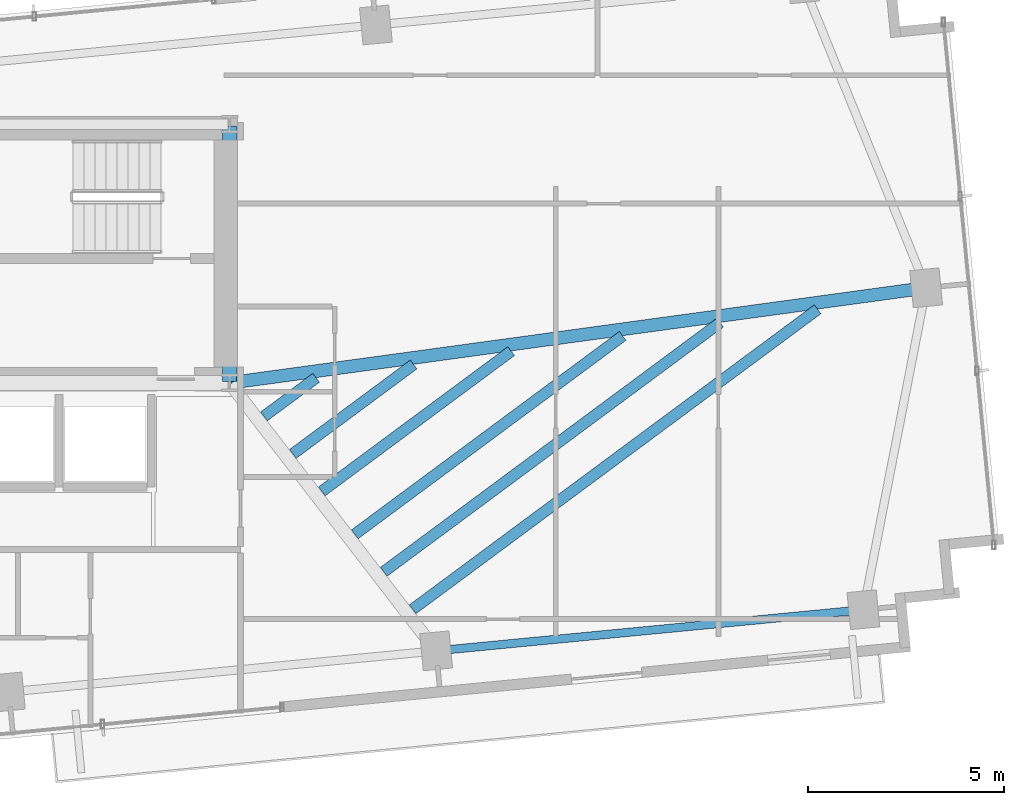
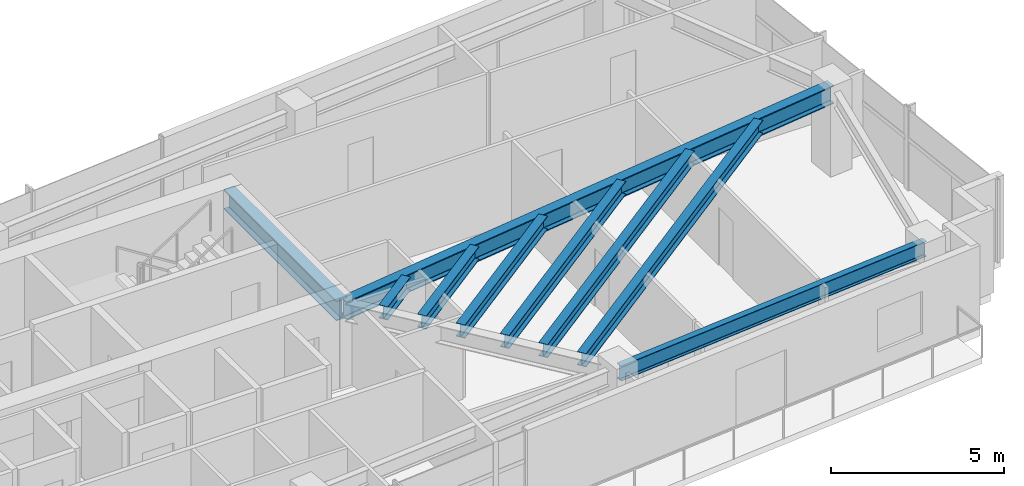
# One storey, part 9 of 18: 9 beams.
"""IFC4 building model written with IfcOpenShell, lengths in metres."""

from ifc_helpers import new_model, si_unit, direction, frame, origin, origin_2d, place, context, subcontext, project, spatial, i_section, extrude, source, transform, mapped, material, material_profile, profile_set, type_object, type_shapes, element, save


model = new_model("IFC4")

# Units and contexts
model_context = context("Model", 3, precision=1e-05, world=origin(), true_north=direction((0.0, 1.0)))
body_context = subcontext(model_context, "Body", "Model", "MODEL_VIEW")
ifc_project = project(units=[si_unit("LENGTHUNIT", "METRE"), si_unit("AREAUNIT", "SQUARE_METRE"), si_unit("VOLUMEUNIT", "CUBIC_METRE"), si_unit("PLANEANGLEUNIT", "RADIAN"), si_unit("MASSUNIT", "GRAM", prefix="KILO")], contexts=[model_context])

# Site, building, storey
site_placement = place(None, origin())
site = spatial("IfcSite", under=ifc_project, at=site_placement, CompositionType="ELEMENT")
building_placement = place(site_placement, origin())
building = spatial("IfcBuilding", under=site, at=building_placement, Name="Astriad Promenade Condominiums", CompositionType="ELEMENT")
storey_placement = place(building_placement, frame((0.0, 0.0, 176.199951171875)))
storey = spatial("IfcBuildingStorey", under=building, at=storey_placement, Name="L50", CompositionType="ELEMENT", Elevation=176.199951171875)

# Beams
ifc_material = material(Name="Steel ASTM A992 Grade 50", Category="steel")
ifc_material_profile_1 = material_profile(ifc_material, i_section(OverallWidth=0.35791015625, OverallDepth=0.706298828125, WebThickness=0.018310546875, FlangeThickness=0.0302734375, FilletRadius=0.020263671875, at=origin_2d()), Name="W27X178")
ifc_profile_set_1 = profile_set([ifc_material_profile_1], Name="Steel ASTM A992 Grade 50")
beam_type_1 = type_object("IfcBeamType", Name="STEEL FLOOR GIRDER W27X178", PredefinedType="BEAM", material=ifc_profile_set_1)
shared_shape_1 = source(origin(), body_context, "Body", "SweptSolid", [
    extrude(i_section(OverallWidth=0.35791015625, OverallDepth=0.706298828125, WebThickness=0.018310546875, FlangeThickness=0.0302734375, FilletRadius=0.020263671875, at=origin_2d()), origin(), (0.0, 0.0, 1.0), 6.52001953125),
])
type_shapes(beam_type_1, [shared_shape_1])
beam_1_placement = place(storey_placement, frame((45.60009765625, 17.43994140625, 2.5869140625), z_axis=(0.0, 1.0, 0.0), x_axis=(-1.0, 0.0, 0.0)))
element("IfcBeam", 1, at=beam_1_placement, inside=storey, type_object=beam_type_1, Name="Core Ring Beam CG-E1-L50", PredefinedType="BEAM", context=body_context, shape_type="MappedRepresentation", body=[
    mapped(shared_shape_1, transform((0.0, 0.0, 0.0), scale=1.0)),
])
ifc_material_profile_2 = material_profile(ifc_material, i_section(OverallWidth=0.210693359375, OverallDepth=0.53955078125, WebThickness=0.01171875, FlangeThickness=0.018798828125, FilletRadius=0.0166015625, at=origin_2d()), Name="W21X73")
ifc_profile_set_2 = profile_set([ifc_material_profile_2], Name="Steel ASTM A992 Grade 50")
beam_type_2 = type_object("IfcBeamType", Name="STEEL SPANDREL BEAM W21X73", PredefinedType="SPANDREL", material=ifc_profile_set_2)
shared_shape_2 = source(origin(), body_context, "Body", "SweptSolid", [
    extrude(i_section(OverallWidth=0.210693359375, OverallDepth=0.53955078125, WebThickness=0.01171875, FlangeThickness=0.018798828125, FilletRadius=0.0166015625, at=origin_2d()), origin(), (0.0, 0.0, 1.0), 10.869873046875),
])
type_shapes(beam_type_2, [shared_shape_2])
beam_2_placement = place(storey_placement, frame((50.908203125, 10.5703125, 2.670166015625), z_axis=(0.995396922692, 0.095838229819, 0.0), x_axis=(-0.095838229819, 0.995396922692, 0.0)))
element("IfcBeam", 2, at=beam_2_placement, inside=storey, type_object=beam_type_2, Name="Perimeter Spandrel Beam SP-S4-L50", PredefinedType="SPANDREL", context=body_context, shape_type="MappedRepresentation", body=[
    mapped(shared_shape_2, transform((0.0, 0.0, 0.0), scale=1.0)),
])
ifc_material_profile_3 = material_profile(ifc_material, i_section(OverallWidth=0.327392578125, OverallDepth=0.640625, WebThickness=0.01904296875, FlangeThickness=0.033935546875, FilletRadius=0.017822265625, at=origin_2d()), Name="W24X176")
ifc_profile_set_3 = profile_set([ifc_material_profile_3], Name="Steel ASTM A992 Grade 50")
beam_type_3 = type_object("IfcBeamType", Name="STEEL FLOOR GIRDER W24X176", PredefinedType="BEAM", material=ifc_profile_set_3)
shared_shape_3 = source(origin(), body_context, "Body", "SweptSolid", [
    extrude(i_section(OverallWidth=0.327392578125, OverallDepth=0.640625, WebThickness=0.01904296875, FlangeThickness=0.033935546875, FilletRadius=0.017822265625, at=origin_2d()), origin(), (0.0, 0.0, 1.0), 17.853271484375),
])
type_shapes(beam_type_3, [shared_shape_3])
beam_3_placement = place(storey_placement, frame((63.32861328125, 19.82177734375, 2.61962890625), z_axis=(-0.990799186345, -0.135340209612, 0.0), x_axis=(0.135340209612, -0.990799186345, 0.0)))
element("IfcBeam", 3, at=beam_3_placement, inside=storey, type_object=beam_type_3, Name="Primary Floor Girder PG-EM-L50", PredefinedType="BEAM", context=body_context, shape_type="MappedRepresentation", body=[
    mapped(shared_shape_3, transform((0.0, 0.0, 0.0), scale=1.0)),
])
ifc_material_profile_4 = material_profile(ifc_material, i_section(OverallWidth=0.283203125, OverallDepth=0.47216796875, WebThickness=0.013671875, FlangeThickness=0.022216796875, FilletRadius=0.01513671875, at=origin_2d()), Name="W18X97")
ifc_profile_set_4 = profile_set([ifc_material_profile_4], Name="Steel ASTM A992 Grade 50")
beam_type_4 = type_object("IfcBeamType", Name="STEEL FLOOR JOIST W18X97", PredefinedType="JOIST", material=ifc_profile_set_4)
shared_shape_4 = source(origin(), body_context, "Body", "SweptSolid", [
    extrude(i_section(OverallWidth=0.283203125, OverallDepth=0.47216796875, WebThickness=0.013671875, FlangeThickness=0.022216796875, FilletRadius=0.01513671875, at=origin_2d()), origin(), (0.0, 0.0, 1.0), 12.85498046875),
])
beam_4_placement = place(storey_placement, frame((50.27001953125, 11.626220703125, 2.703857421875), z_axis=(0.803505042716, 0.595297947526, 0.0), x_axis=(-0.595297947526, 0.803505042716, 0.0)))
element("IfcBeam", 4, at=beam_4_placement, inside=storey, type_object=beam_type_4, Name="Secondary Composite Floor Joist JE1-1-L50", PredefinedType="JOIST", context=body_context, shape_type="MappedRepresentation", body=[
    mapped(shared_shape_4, transform((0.0, 0.0, 0.0), scale=1.0)),
])
shared_shape_5 = source(origin(), body_context, "Body", "SweptSolid", [
    extrude(i_section(OverallWidth=0.283203125, OverallDepth=0.47216796875, WebThickness=0.013671875, FlangeThickness=0.022216796875, FilletRadius=0.01513671875, at=origin_2d()), origin(), (0.0, 0.0, 1.0), 10.677001953125),
])
beam_5_placement = place(storey_placement, frame((49.532470703125, 12.5830078125, 2.703857421875), z_axis=(0.803509393025, 0.595292075641, 0.0), x_axis=(-0.595292075641, 0.803509393025, 0.0)))
element("IfcBeam", 5, at=beam_5_placement, inside=storey, type_object=beam_type_4, Name="Secondary Composite Floor Joist JE1-2-L50", PredefinedType="JOIST", context=body_context, shape_type="MappedRepresentation", body=[
    mapped(shared_shape_5, transform((0.0, 0.0, 0.0), scale=1.0)),
])
shared_shape_6 = source(origin(), body_context, "Body", "SweptSolid", [
    extrude(i_section(OverallWidth=0.283203125, OverallDepth=0.47216796875, WebThickness=0.013671875, FlangeThickness=0.022216796875, FilletRadius=0.01513671875, at=origin_2d()), origin(), (0.0, 0.0, 1.0), 8.4990234375),
])
beam_6_placement = place(storey_placement, frame((48.794921875, 13.539794921875, 2.703857421875), z_axis=(0.803515972929, 0.595283194159, 0.0), x_axis=(-0.595283194159, 0.803515972929, 0.0)))
element("IfcBeam", 6, at=beam_6_placement, inside=storey, type_object=beam_type_4, Name="Secondary Composite Floor Joist JE1-3-L50", PredefinedType="JOIST", context=body_context, shape_type="MappedRepresentation", body=[
    mapped(shared_shape_6, transform((0.0, 0.0, 0.0), scale=1.0)),
])
shared_shape_7 = source(origin(), body_context, "Body", "SweptSolid", [
    extrude(i_section(OverallWidth=0.283203125, OverallDepth=0.47216796875, WebThickness=0.013671875, FlangeThickness=0.022216796875, FilletRadius=0.01513671875, at=origin_2d()), origin(), (0.0, 0.0, 1.0), 6.01025390625),
])
beam_7_placement = place(storey_placement, frame((47.951904296875, 14.633056640625, 2.703857421875), z_axis=(0.803510418138, 0.595290691968, 0.0), x_axis=(-0.595290691968, 0.803510418138, 0.0)))
element("IfcBeam", 7, at=beam_7_placement, inside=storey, type_object=beam_type_4, Name="Secondary Composite Floor Joist JE1-4-L50", PredefinedType="JOIST", context=body_context, shape_type="MappedRepresentation", body=[
    mapped(shared_shape_7, transform((0.0, 0.0, 0.0), scale=1.0)),
])
shared_shape_8 = source(origin(), body_context, "Body", "SweptSolid", [
    extrude(i_section(OverallWidth=0.283203125, OverallDepth=0.47216796875, WebThickness=0.013671875, FlangeThickness=0.022216796875, FilletRadius=0.01513671875, at=origin_2d()), origin(), (0.0, 0.0, 1.0), 3.832275390625),
])
beam_8_placement = place(storey_placement, frame((47.21435546875, 15.58984375, 2.703857421875), z_axis=(0.803525593062, 0.59527020864, 0.0), x_axis=(-0.59527020864, 0.803525593062, 0.0)))
element("IfcBeam", 8, at=beam_8_placement, inside=storey, type_object=beam_type_4, Name="Secondary Composite Floor Joist JE1-5-L50", PredefinedType="JOIST", context=body_context, shape_type="MappedRepresentation", body=[
    mapped(shared_shape_8, transform((0.0, 0.0, 0.0), scale=1.0)),
])
shared_shape_9 = source(origin(), body_context, "Body", "SweptSolid", [
    extrude(i_section(OverallWidth=0.283203125, OverallDepth=0.47216796875, WebThickness=0.013671875, FlangeThickness=0.022216796875, FilletRadius=0.01513671875, at=origin_2d()), origin(), (0.0, 0.0, 1.0), 1.654541015625),
])
type_shapes(beam_type_4, [shared_shape_4, shared_shape_5, shared_shape_6, shared_shape_7, shared_shape_8, shared_shape_9])
beam_9_placement = place(storey_placement, frame((46.476806640625, 16.54638671875, 2.703857421875), z_axis=(0.803510136239, 0.595291072468, 0.0), x_axis=(-0.595291072468, 0.803510136239, 0.0)))
element("IfcBeam", 9, at=beam_9_placement, inside=storey, type_object=beam_type_4, Name="Secondary Composite Floor Joist JE1-6-L50", PredefinedType="JOIST", context=body_context, shape_type="MappedRepresentation", body=[
    mapped(shared_shape_9, transform((0.0, 0.0, 0.0), scale=1.0)),
])

save(model, "model.ifc")
